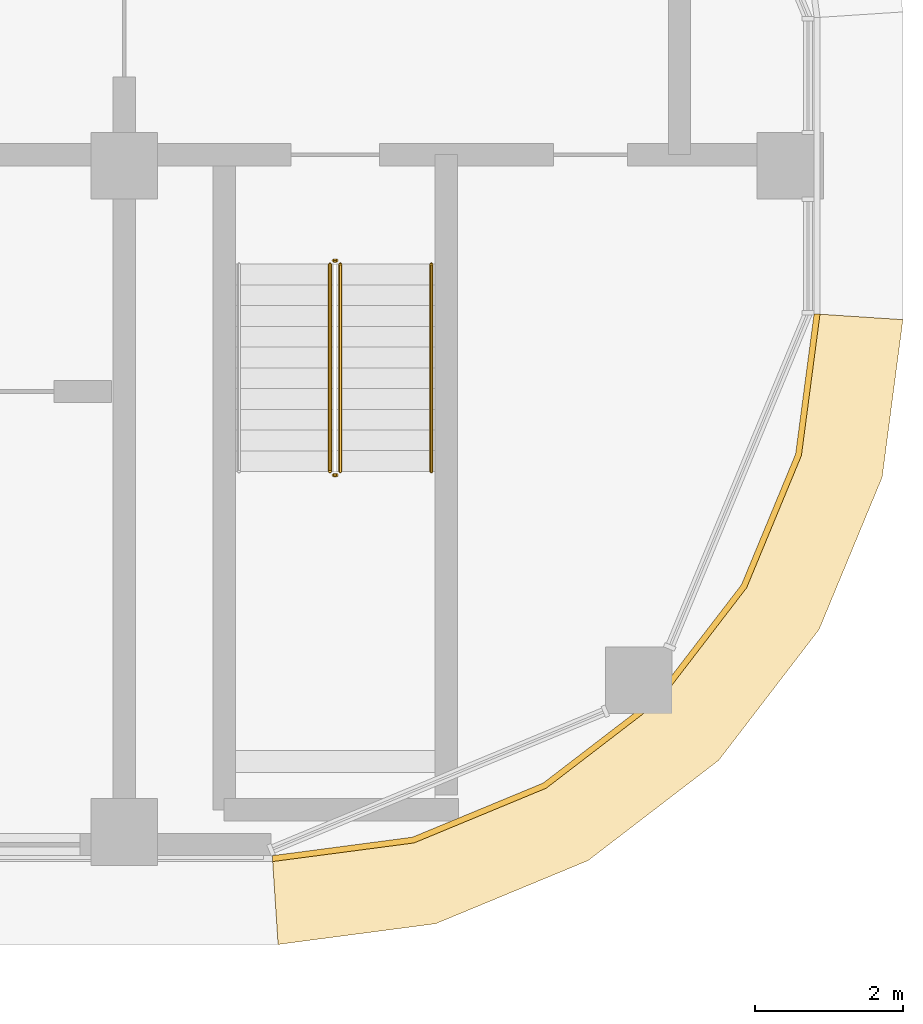
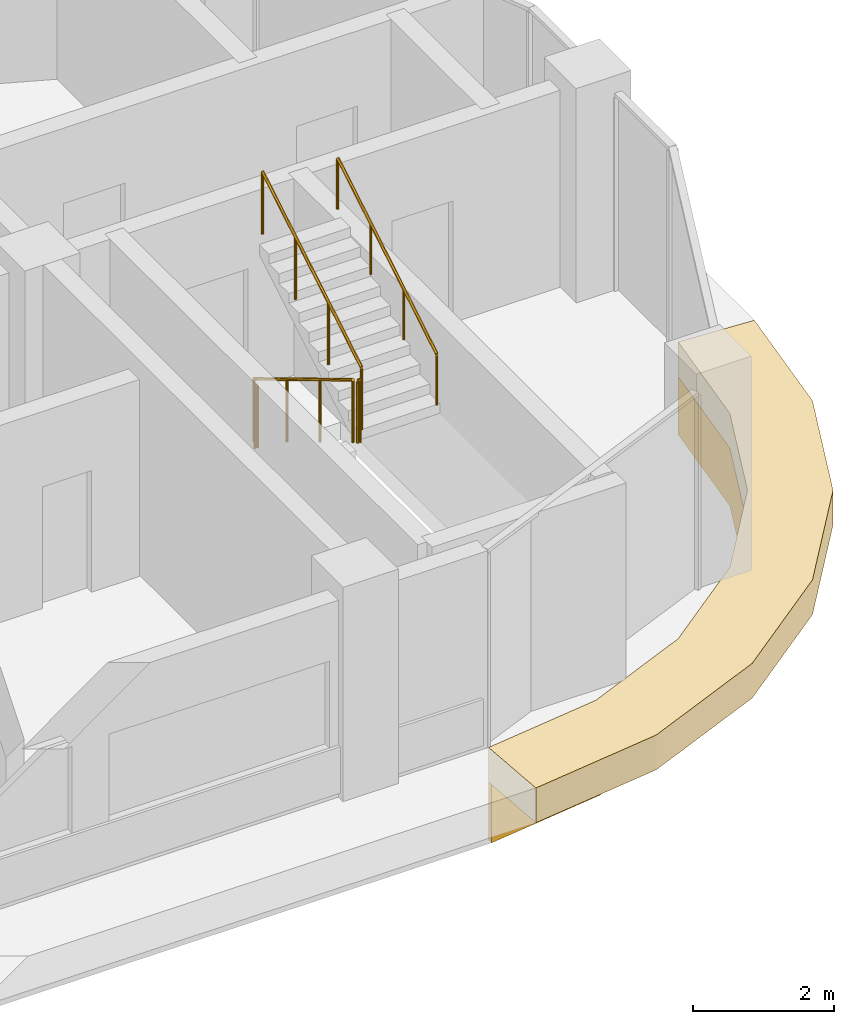
# One storey, part 19 of 20: 5 railings, 2 coverings.
"""IFC4 building model written with IfcOpenShell, lengths in metres."""

from ifc_helpers import new_model, si_unit, direction, frame, origin, origin_2d, place, context, subcontext, project, spatial, polyline, circle, outline, extrude, material, layer, layer_set, type_object, element, save


model = new_model("IFC4")

# Units and contexts
model_context = context("Model", 3, precision=1e-05, world=origin(), true_north=direction((0.0, 1.0)))
body_context = subcontext(model_context, "Body", "Model", "MODEL_VIEW")
ifc_project = project(units=[si_unit("LENGTHUNIT", "METRE"), si_unit("AREAUNIT", "SQUARE_METRE"), si_unit("VOLUMEUNIT", "CUBIC_METRE"), si_unit("PLANEANGLEUNIT", "RADIAN"), si_unit("MASSUNIT", "GRAM", prefix="KILO")], contexts=[model_context])

# Site, building, storey
site_placement = place(None, origin())
site = spatial("IfcSite", under=ifc_project, at=site_placement, CompositionType="ELEMENT")
building_placement = place(site_placement, origin())
building = spatial("IfcBuilding", under=site, at=building_placement, Name="Ogive Portal Towers", CompositionType="ELEMENT")
storey_placement = place(building_placement, frame((0.0, 0.0, 214.300048828125)))
storey = spatial("IfcBuildingStorey", under=building, at=storey_placement, Name="L53", CompositionType="ELEMENT", Elevation=214.300048828125)

# Railings
ifc_material_1 = material(Name="Stainless steel balustrade", Category="steel")
railing_type_1 = type_object("IfcRailingType", Name="INT-GUARD", PredefinedType="GUARDRAIL", material=ifc_material_1)
railing_1_placement = place(storey_placement, frame((88.280029296875, 29.169921875, 0.168212890625)))
element("IfcRailing", 1, at=railing_1_placement, inside=storey, type_object=railing_type_1, Name="L53 ST-A4 stair guard 1", PredefinedType="GUARDRAIL", context=body_context, shape_type="SweptSolid", body=[
    extrude(circle(Radius=0.02392578125, at=origin_2d()), frame((0.0, 0.0, 1.076171875), z_axis=(0.0, -0.857255387014, 0.514891446264), x_axis=(1.0, 0.0, 0.0)), (0.0, 0.0, 1.0), 3.26611328125),
    extrude(circle(Radius=0.02099609375, at=origin_2d()), origin(), (0.0, 0.0, 1.0), 1.052001953125),
    extrude(circle(Radius=0.02099609375, at=origin_2d()), frame((0.0, -0.933349609375, 0.560546875)), (0.0, 0.0, 1.0), 1.052001953125),
    extrude(circle(Radius=0.02099609375, at=origin_2d()), frame((0.0, -1.866455078125, 1.12109375)), (0.0, 0.0, 1.0), 1.052001953125),
    extrude(circle(Radius=0.02099609375, at=origin_2d()), frame((0.0, -2.7998046875, 1.681640625)), (0.0, 0.0, 1.0), 1.052001953125),
])
railing_2_placement = place(storey_placement, frame((88.330078125, 26.320068359375, 1.849853515625)))
element("IfcRailing", 2, at=railing_2_placement, inside=storey, type_object=railing_type_1, Name="L53 ST-A4 stair guard 2", PredefinedType="GUARDRAIL", context=body_context, shape_type="SweptSolid", body=[
    extrude(circle(Radius=0.02392578125, at=origin_2d()), frame((0.0, 0.0, 1.076171875), z_axis=(1.0, 0.0, 0.0), x_axis=(0.0, 1.0, 0.0)), (0.0, 0.0, 1.0), 0.0400390625),
    extrude(circle(Radius=0.02099609375, at=origin_2d()), origin(), (0.0, 0.0, 1.0), 1.052001953125),
    extrude(circle(Radius=0.02099609375, at=origin_2d()), frame((0.0400390625, 0.0, 0.0)), (0.0, 0.0, 1.0), 1.052001953125),
])
railing_3_placement = place(storey_placement, frame((88.419921875, 26.3701171875, 2.01806640625)))
element("IfcRailing", 3, at=railing_3_placement, inside=storey, type_object=railing_type_1, Name="L53 ST-A4 stair guard 3", PredefinedType="GUARDRAIL", context=body_context, shape_type="SweptSolid", body=[
    extrude(circle(Radius=0.02392578125, at=origin_2d()), frame((0.0, 0.0, 1.076171875), z_axis=(0.0, 0.857222391501, 0.514946377315), x_axis=(-1.0, 0.0, 0.0)), (0.0, 0.0, 1.0), 3.26611328125),
    extrude(circle(Radius=0.02099609375, at=origin_2d()), origin(), (0.0, 0.0, 1.0), 1.052001953125),
    extrude(circle(Radius=0.02099609375, at=origin_2d()), frame((0.0, 0.933349609375, 0.560546875)), (0.0, 0.0, 1.0), 1.052001953125),
    extrude(circle(Radius=0.02099609375, at=origin_2d()), frame((0.0, 1.866455078125, 1.121337890625)), (0.0, 0.0, 1.0), 1.052001953125),
    extrude(circle(Radius=0.02099609375, at=origin_2d()), frame((0.0, 2.7998046875, 1.681884765625)), (0.0, 0.0, 1.0), 1.052001953125),
])
railing_4_placement = place(storey_placement, frame((88.330078125, 29.219970703125, 0.0)))
element("IfcRailing", 4, at=railing_4_placement, inside=storey, type_object=railing_type_1, Name="L53 ST-A4 stair guard 4", PredefinedType="GUARDRAIL", context=body_context, shape_type="SweptSolid", body=[
    extrude(circle(Radius=0.02392578125, at=origin_2d()), frame((0.0, 0.0, 1.076171875), z_axis=(1.0, 0.0, 0.0), x_axis=(0.0, 1.0, 0.0)), (0.0, 0.0, 1.0), 0.0400390625),
    extrude(circle(Radius=0.02099609375, at=origin_2d()), origin(), (0.0, 0.0, 1.0), 1.052001953125),
    extrude(circle(Radius=0.02099609375, at=origin_2d()), frame((0.0400390625, 0.0, 0.0)), (0.0, 0.0, 1.0), 1.052001953125),
])
ifc_material_2 = material(Name="Stainless steel handrail", Category="steel")
railing_type_2 = type_object("IfcRailingType", Name="INT-HANDRAIL", PredefinedType="HANDRAIL", material=ifc_material_2)
railing_5_placement = place(storey_placement, frame((89.64990234375, 26.3701171875, 2.01806640625)))
element("IfcRailing", 5, at=railing_5_placement, inside=storey, type_object=railing_type_2, Name="L53 ST-A4 stair handrail 2", PredefinedType="HANDRAIL", context=body_context, shape_type="SweptSolid", body=[
    extrude(circle(Radius=0.02392578125, at=origin_2d()), frame((0.0, 0.0, 0.8759765625), z_axis=(0.0, 0.857222391501, 0.514946377315), x_axis=(-1.0, 0.0, 0.0)), (0.0, 0.0, 1.0), 3.26611328125),
    extrude(circle(Radius=0.02099609375, at=origin_2d()), origin(), (0.0, 0.0, 1.0), 0.851806640625),
    extrude(circle(Radius=0.02099609375, at=origin_2d()), frame((0.0, 0.933349609375, 0.560546875)), (0.0, 0.0, 1.0), 0.851806640625),
    extrude(circle(Radius=0.02099609375, at=origin_2d()), frame((0.0, 1.866455078125, 1.121337890625)), (0.0, 0.0, 1.0), 0.851806640625),
    extrude(circle(Radius=0.02099609375, at=origin_2d()), frame((0.0, 2.7998046875, 1.681884765625)), (0.0, 0.0, 1.0), 0.851806640625),
])

# Coverings
ifc_material_3 = material(Name="Limestone cladding on lightweight block wall", Category="masonry")
ifc_layer_1 = layer(ifc_material_3, 0.080078125)
ifc_layer_set_1 = layer_set([ifc_layer_1], Name="STONE SPANDREL 80")
covering_type_1 = type_object("IfcCoveringType", Name="STONE SPANDREL 80", PredefinedType="CLADDING", material=ifc_layer_set_1)
covering_1_placement = place(storey_placement, frame((0.0, 0.0, -1.60009765625)))
element("IfcCovering", 6, at=covering_1_placement, inside=storey, type_object=covering_type_1, Name="Stone spandrel A1-F13", PredefinedType="CLADDING", context=body_context, shape_type="SweptSolid", body=[
    extrude(outline(polyline([(87.5, 21.179931640625), (89.39453125, 21.429443359375), (91.159912109375, 22.16064453125), (92.676025390625, 23.323974609375), (93.83935546875, 24.840087890625), (94.570556640625, 26.60546875), (94.820068359375, 28.5), (94.89990234375, 28.494873046875), (94.6484375, 26.58447265625), (93.9091796875, 24.799560546875), (92.733154296875, 23.266845703125), (91.200439453125, 22.0908203125), (89.41552734375, 21.3515625), (87.505126953125, 21.10009765625), (87.5, 21.179931640625)])), origin(), (0.0, 0.0, 1.0), 1.0),
])
ifc_layer_2 = layer(ifc_material_3, 0.60009765625)
ifc_layer_set_2 = layer_set([ifc_layer_2], Name="SUNSHADE LIP 600")
covering_type_2 = type_object("IfcCoveringType", Name="SUNSHADE LIP 600", PredefinedType="CLADDING", material=ifc_layer_set_2)
covering_2_placement = place(storey_placement, frame((0.0, 0.0, -0.60009765625)))
element("IfcCovering", 7, at=covering_2_placement, inside=storey, type_object=covering_type_2, Name="Sunshade lip A1-F13", PredefinedType="CLADDING", context=body_context, shape_type="SweptSolid", body=[
    extrude(outline(polyline([(87.5, 21.179931640625), (89.39453125, 21.429443359375), (91.159912109375, 22.16064453125), (92.676025390625, 23.323974609375), (93.83935546875, 24.840087890625), (94.570556640625, 26.60546875), (94.820068359375, 28.5), (96.02001953125, 28.42138671875), (95.73974609375, 26.292236328125), (94.887451171875, 24.23486328125), (93.531982421875, 22.468017578125), (91.76513671875, 21.112548828125), (89.707763671875, 20.26025390625), (87.57861328125, 19.97998046875), (87.5, 21.179931640625)])), origin(), (0.0, 0.0, 1.0), 0.60009765625),
])

save(model, "model.ifc")
